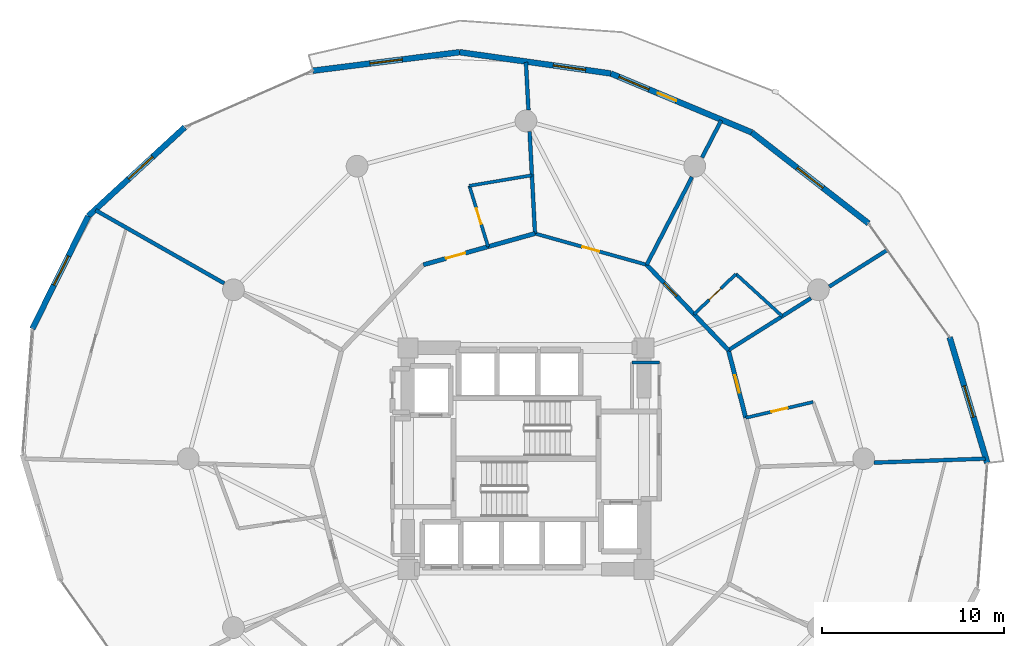
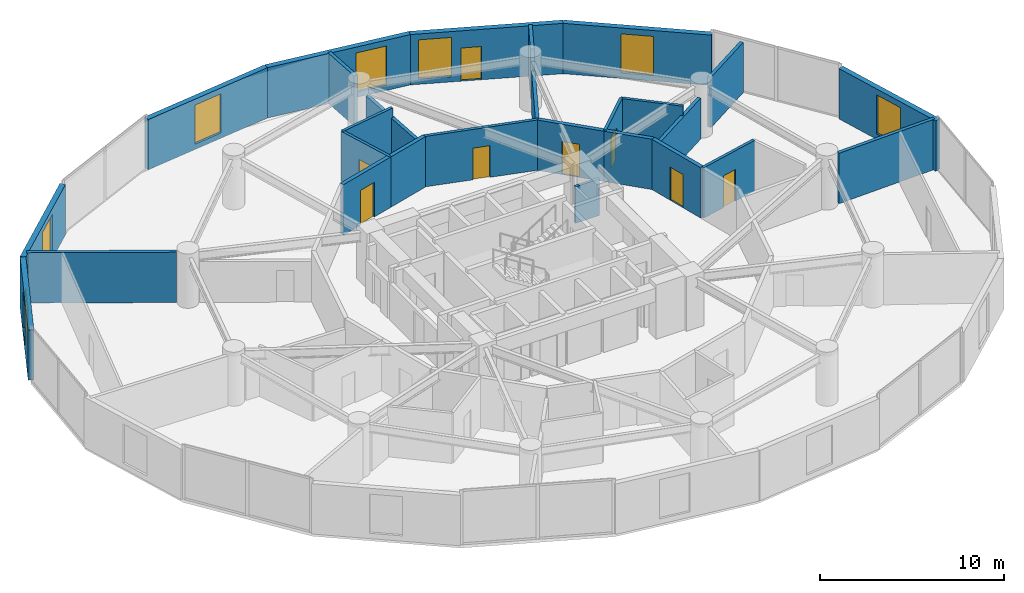
# One storey, part 21 of 25: 27 walls, 8 doors, 7 windows, 15 openings.
"""IFC4 building model written with IfcOpenShell, lengths in metres."""

from ifc_helpers import new_model, si_unit, direction, frame, frame_2d, origin, place, context, subcontext, project, spatial, rectangle, extrude, material, layer, layer_set, type_object, element, fill, save


model = new_model("IFC4")

# Units and contexts
model_context = context("Model", 3, precision=1e-05, world=origin(), true_north=direction((0.0, 1.0)))
body_context = subcontext(model_context, "Body", "Model", "MODEL_VIEW")
ifc_project = project(units=[si_unit("LENGTHUNIT", "METRE"), si_unit("AREAUNIT", "SQUARE_METRE"), si_unit("VOLUMEUNIT", "CUBIC_METRE"), si_unit("PLANEANGLEUNIT", "RADIAN"), si_unit("MASSUNIT", "GRAM", prefix="KILO")], contexts=[model_context])

# Site, building, storey
site_placement = place(None, origin())
site = spatial("IfcSite", under=ifc_project, at=site_placement, CompositionType="ELEMENT")
building_placement = place(site_placement, origin())
building = spatial("IfcBuilding", under=site, at=building_placement, Name="Solvirekh Grand Hotel", CompositionType="ELEMENT")
storey_placement = place(building_placement, frame((0.0, 0.0, 60.800048828125)))
storey = spatial("IfcBuildingStorey", under=building, at=storey_placement, Name="L14", CompositionType="ELEMENT", Elevation=60.800048828125)

# Wall, opening, window
ifc_material_1 = material(Name="Precast concrete C45/55", Category="concrete")
ifc_layer_1 = layer(ifc_material_1, 0.320068359375)
ifc_layer_set_1 = layer_set([ifc_layer_1], Name="Precast concrete C45/55")
wall_type_1 = type_object("IfcWallType", Name="ExtLobbyWall_RC320", PredefinedType="SOLIDWALL", material=ifc_layer_set_1)
wall_1_placement = place(storey_placement, frame((23.337890625, 6.68310546875, 0.0), z_axis=(0.0, 0.0, 1.0), x_axis=(0.286771852206, -0.957998906462, 0.0)))
wall_1 = element("IfcWall", 1, at=wall_1_placement, inside=storey, type_object=wall_type_1, Name="L14 exterior structural wall chord 2", PredefinedType="SOLIDWALL", context=body_context, shape_type="SweptSolid", body=[
    extrude(rectangle(XDim=7.23291015625, YDim=0.320068359375, at=frame_2d((3.616455078125, 0.0))), origin(), (0.0, 0.0, 1.0), 3.33984375),
])
opening_1_placement = place(wall_1_placement, frame((2.7890625, 0.0, 0.35009765625)))
opening_1 = element("IfcOpeningElement", 2, at=opening_1_placement, cuts=wall_1, Name="Opening W02", PredefinedType="OPENING", context=body_context, shape_type="SweptSolid", body=[
    extrude(rectangle(XDim=1.800048828125, YDim=2.60009765625, at=frame_2d((0.89990234375, 1.300048828125))), frame((0.0, 0.169921875, 0.0), z_axis=(0.0, -1.0, 0.0), x_axis=(1.0, 0.0, 0.0)), (0.0, 0.0, 1.0), 0.340087890625),
])
ifc_material_2 = material(Name="Low-E Tinted Bronze Laminated Glass", Category="aluminium")
window_type = type_object("IfcWindowType", Name="Win_LobbyExt_1800X2600", PartitioningType="SINGLE_PANEL", PredefinedType="WINDOW", material=ifc_material_2)
window_1_placement = place(opening_1_placement, origin())
window_1 = element("IfcWindow", 3, at=window_1_placement, inside=storey, type_object=window_type, Name="L14 panoramic bronze-framed window 2", OverallHeight=2.60009765625, OverallWidth=1.800048828125, PartitioningType="SINGLE_PANEL", PredefinedType="WINDOW", context=body_context, shape_type="SweptSolid", body=[
    extrude(rectangle(XDim=1.800048828125, YDim=2.60009765625, at=frame_2d((0.89990234375, 1.300048828125))), frame((0.0, 0.030029296875, 0.0), z_axis=(0.0, -1.0, 0.0), x_axis=(1.0, 0.0, 0.0)), (0.0, 0.0, 1.0), 0.06005859375),
])
fill(opening_1, window_1)

wall_2_placement = place(storey_placement, frame((12.43798828125, 17.966064453125, 0.0), z_axis=(0.0, 0.0, 1.0), x_axis=(0.788993974252, -0.614400934728, 0.0)))
wall_2 = element("IfcWall", 4, at=wall_2_placement, inside=storey, type_object=wall_type_1, Name="L14 exterior structural wall chord 4", PredefinedType="SOLIDWALL", context=body_context, shape_type="SweptSolid", body=[
    extrude(rectangle(XDim=8.1494140625, YDim=0.320068359375, at=frame_2d((4.07470703125, 0.0))), origin(), (0.0, 0.0, 1.0), 3.33984375),
])
opening_2_placement = place(wall_2_placement, frame((3.175048828125, 0.0, 0.35009765625)))
opening_2 = element("IfcOpeningElement", 5, at=opening_2_placement, cuts=wall_2, Name="Opening W02", PredefinedType="OPENING", context=body_context, shape_type="SweptSolid", body=[
    extrude(rectangle(XDim=1.800048828125, YDim=2.60009765625, at=frame_2d((0.89990234375, 1.300048828125))), frame((0.0, 0.169921875, 0.0), z_axis=(0.0, -1.0, 0.0), x_axis=(1.0, 0.0, 0.0)), (0.0, 0.0, 1.0), 0.340087890625),
])
window_2_placement = place(opening_2_placement, origin())
window_2 = element("IfcWindow", 6, at=window_2_placement, inside=storey, type_object=window_type, Name="L14 panoramic bronze-framed window 4", OverallHeight=2.60009765625, OverallWidth=1.800048828125, PartitioningType="SINGLE_PANEL", PredefinedType="WINDOW", context=body_context, shape_type="SweptSolid", body=[
    extrude(rectangle(XDim=1.800048828125, YDim=2.60009765625, at=frame_2d((0.89990234375, 1.300048828125))), frame((0.0, 0.030029296875, 0.0), z_axis=(0.0, -1.0, 0.0), x_axis=(1.0, 0.0, 0.0)), (0.0, 0.0, 1.0), 0.06005859375),
])
fill(opening_2, window_2)

# Wall, openings, door, window
wall_3_placement = place(storey_placement, frame((4.677001953125, 21.214111328125, 0.0), z_axis=(0.0, 0.0, 1.0), x_axis=(0.922472234025, -0.386063437084, 0.0)))
wall_3 = element("IfcWall", 7, at=wall_3_placement, inside=storey, type_object=wall_type_1, Name="L14 exterior structural wall chord 5", PredefinedType="SOLIDWALL", context=body_context, shape_type="SweptSolid", body=[
    extrude(rectangle(XDim=8.413330078125, YDim=0.320068359375, at=frame_2d((4.20654296875, 0.0))), origin(), (0.0, 0.0, 1.0), 3.33984375),
])
opening_3_placement = place(wall_3_placement, frame((0.47607421875, 0.0, 0.35009765625)))
opening_3 = element("IfcOpeningElement", 8, at=opening_3_placement, cuts=wall_3, Name="Opening W02", PredefinedType="OPENING", context=body_context, shape_type="SweptSolid", body=[
    extrude(rectangle(XDim=1.800048828125, YDim=2.60009765625, at=frame_2d((0.89990234375, 1.300048828125))), frame((0.0, 0.169921875, 0.0), z_axis=(0.0, -1.0, 0.0), x_axis=(1.0, 0.0, 0.0)), (0.0, 0.0, 1.0), 0.340087890625),
])
opening_4_placement = place(wall_3_placement, frame((2.802978515625, 0.0, 0.0)))
opening_4 = element("IfcOpeningElement", 9, at=opening_4_placement, cuts=wall_3, Name="Opening D03", PredefinedType="OPENING", context=body_context, shape_type="SweptSolid", body=[
    extrude(rectangle(XDim=1.10009765625, YDim=2.199951171875, at=frame_2d((0.550048828125, 1.10009765625))), frame((0.0, 0.169921875, 0.0), z_axis=(0.0, -1.0, 0.0), x_axis=(1.0, 0.0, 0.0)), (0.0, 0.0, 1.0), 0.340087890625),
])
ifc_material_3 = material(Name="Anodized Bronze Aluminium 6063-T6", Category="aluminium")
door_type_1 = type_object("IfcDoorType", Name="Door_ExtBalcony_1100X2200", OperationType="NOTDEFINED", PredefinedType="DOOR", material=ifc_material_3)
door_1_placement = place(opening_4_placement, origin())
door_1 = element("IfcDoor", 10, at=door_1_placement, inside=storey, type_object=door_type_1, Name="L14 Crescent balcony glazed door (5)", OperationType="SINGLE_SWING_RIGHT", OverallHeight=2.199951171875, OverallWidth=1.10009765625, PredefinedType="DOOR", context=body_context, shape_type="SweptSolid", body=[
    extrude(rectangle(XDim=1.10009765625, YDim=2.199951171875, at=frame_2d((0.550048828125, 1.10009765625))), frame((0.0, 0.02490234375, 0.0), z_axis=(0.0, -1.0, 0.0), x_axis=(1.0, 0.0, 0.0)), (0.0, 0.0, 1.0), 0.050048828125),
])
fill(opening_4, door_1)
window_3_placement = place(opening_3_placement, origin())
window_3 = element("IfcWindow", 11, at=window_3_placement, inside=storey, type_object=window_type, Name="L14 exterior side window 5", OverallHeight=2.60009765625, OverallWidth=1.800048828125, PartitioningType="SINGLE_PANEL", PredefinedType="WINDOW", context=body_context, shape_type="SweptSolid", body=[
    extrude(rectangle(XDim=1.800048828125, YDim=2.60009765625, at=frame_2d((0.89990234375, 1.300048828125))), frame((0.0, 0.030029296875, 0.0), z_axis=(0.0, -1.0, 0.0), x_axis=(1.0, 0.0, 0.0)), (0.0, 0.0, 1.0), 0.06005859375),
])
fill(opening_3, window_3)

# Wall, opening, window
wall_4_placement = place(storey_placement, frame((-3.653076171875, 22.385986328125, 0.0), z_axis=(0.0, 0.0, 1.0), x_axis=(0.990249073368, -0.139308193205, 0.0)))
wall_4 = element("IfcWall", 12, at=wall_4_placement, inside=storey, type_object=wall_type_1, Name="L14 exterior structural wall chord 6", PredefinedType="SOLIDWALL", context=body_context, shape_type="SweptSolid", body=[
    extrude(rectangle(XDim=8.412109375, YDim=0.320068359375, at=frame_2d((4.2060546875, 0.0))), origin(), (0.0, 0.0, 1.0), 3.33984375),
])
opening_5_placement = place(wall_4_placement, frame((5.202880859375, 0.0, 0.35009765625)))
opening_5 = element("IfcOpeningElement", 13, at=opening_5_placement, cuts=wall_4, Name="Opening W02", PredefinedType="OPENING", context=body_context, shape_type="SweptSolid", body=[
    extrude(rectangle(XDim=1.800048828125, YDim=2.60009765625, at=frame_2d((0.89990234375, 1.300048828125))), frame((0.0, 0.169921875, 0.0), z_axis=(0.0, -1.0, 0.0), x_axis=(1.0, 0.0, 0.0)), (0.0, 0.0, 1.0), 0.340087890625),
])
window_4_placement = place(opening_5_placement, origin())
window_4 = element("IfcWindow", 14, at=window_4_placement, inside=storey, type_object=window_type, Name="L14 panoramic bronze-framed window 6", OverallHeight=2.60009765625, OverallWidth=1.800048828125, PartitioningType="SINGLE_PANEL", PredefinedType="WINDOW", context=body_context, shape_type="SweptSolid", body=[
    extrude(rectangle(XDim=1.800048828125, YDim=2.60009765625, at=frame_2d((0.89990234375, 1.300048828125))), frame((0.0, 0.030029296875, 0.0), z_axis=(0.0, -1.0, 0.0), x_axis=(1.0, 0.0, 0.0)), (0.0, 0.0, 1.0), 0.06005859375),
])
fill(opening_5, window_4)

wall_5_placement = place(storey_placement, frame((-11.739013671875, 21.365966796875, 0.0), z_axis=(0.0, 0.0, 1.0), x_axis=(0.992137142599, 0.125155464426, 0.0)))
wall_5 = element("IfcWall", 15, at=wall_5_placement, inside=storey, type_object=wall_type_1, Name="L14 exterior structural wall chord 7", PredefinedType="SOLIDWALL", context=body_context, shape_type="SweptSolid", body=[
    extrude(rectangle(XDim=8.14990234375, YDim=0.320068359375, at=frame_2d((4.074951171875, 0.0))), origin(), (0.0, 0.0, 1.0), 3.33984375),
])
opening_6_placement = place(wall_5_placement, frame((3.175048828125, 0.0, 0.35009765625)))
opening_6 = element("IfcOpeningElement", 16, at=opening_6_placement, cuts=wall_5, Name="Opening W02", PredefinedType="OPENING", context=body_context, shape_type="SweptSolid", body=[
    extrude(rectangle(XDim=1.800048828125, YDim=2.60009765625, at=frame_2d((0.89990234375, 1.300048828125))), frame((0.0, 0.169921875, 0.0), z_axis=(0.0, -1.0, 0.0), x_axis=(1.0, 0.0, 0.0)), (0.0, 0.0, 1.0), 0.340087890625),
])
window_5_placement = place(opening_6_placement, origin())
window_5 = element("IfcWindow", 17, at=window_5_placement, inside=storey, type_object=window_type, Name="L14 panoramic bronze-framed window 7", OverallHeight=2.60009765625, OverallWidth=1.800048828125, PartitioningType="SINGLE_PANEL", PredefinedType="WINDOW", context=body_context, shape_type="SweptSolid", body=[
    extrude(rectangle(XDim=1.800048828125, YDim=2.60009765625, at=frame_2d((0.89990234375, 1.300048828125))), frame((0.0, 0.030029296875, 0.0), z_axis=(0.0, -1.0, 0.0), x_axis=(1.0, 0.0, 0.0)), (0.0, 0.0, 1.0), 0.06005859375),
])
fill(opening_6, window_5)

wall_6_placement = place(storey_placement, frame((-24.111083984375, 13.35693359375, 0.0), z_axis=(0.0, 0.0, 1.0), x_axis=(0.735876522022, 0.677115754016, 0.0)))
wall_6 = element("IfcWall", 18, at=wall_6_placement, inside=storey, type_object=wall_type_1, Name="L14 exterior structural wall chord 9", PredefinedType="SOLIDWALL", context=body_context, shape_type="SweptSolid", body=[
    extrude(rectangle(XDim=7.233642578125, YDim=0.320068359375, at=frame_2d((3.61669921875, 0.0))), origin(), (0.0, 0.0, 1.0), 3.33984375),
])
opening_7_placement = place(wall_6_placement, frame((3.028076171875, 0.0, 0.35009765625)))
opening_7 = element("IfcOpeningElement", 19, at=opening_7_placement, cuts=wall_6, Name="Opening W02", PredefinedType="OPENING", context=body_context, shape_type="SweptSolid", body=[
    extrude(rectangle(XDim=1.800048828125, YDim=2.60009765625, at=frame_2d((0.89990234375, 1.300048828125))), frame((0.0, 0.169921875, 0.0), z_axis=(0.0, -1.0, 0.0), x_axis=(1.0, 0.0, 0.0)), (0.0, 0.0, 1.0), 0.340087890625),
])
window_6_placement = place(opening_7_placement, origin())
window_6 = element("IfcWindow", 20, at=window_6_placement, inside=storey, type_object=window_type, Name="L14 panoramic bronze-framed window 9", OverallHeight=2.60009765625, OverallWidth=1.800048828125, PartitioningType="SINGLE_PANEL", PredefinedType="WINDOW", context=body_context, shape_type="SweptSolid", body=[
    extrude(rectangle(XDim=1.800048828125, YDim=2.60009765625, at=frame_2d((0.89990234375, 1.300048828125))), frame((0.0, 0.030029296875, 0.0), z_axis=(0.0, -1.0, 0.0), x_axis=(1.0, 0.0, 0.0)), (0.0, 0.0, 1.0), 0.06005859375),
])
fill(opening_7, window_6)

wall_7_placement = place(storey_placement, frame((-27.18603515625, 7.152099609375, 0.0), z_axis=(0.0, 0.0, 1.0), x_axis=(0.444037823644, 0.896008041914, 0.0)))
wall_7 = element("IfcWall", 21, at=wall_7_placement, inside=storey, type_object=wall_type_1, Name="L14 exterior structural wall chord 10", PredefinedType="SOLIDWALL", context=body_context, shape_type="SweptSolid", body=[
    extrude(rectangle(XDim=6.925048828125, YDim=0.320068359375, at=frame_2d((3.46240234375, 0.0))), origin(), (0.0, 0.0, 1.0), 3.33984375),
])
opening_8_placement = place(wall_7_placement, frame((2.681884765625, 0.0, 0.35009765625)))
opening_8 = element("IfcOpeningElement", 22, at=opening_8_placement, cuts=wall_7, Name="Opening W02", PredefinedType="OPENING", context=body_context, shape_type="SweptSolid", body=[
    extrude(rectangle(XDim=1.800048828125, YDim=2.60009765625, at=frame_2d((0.89990234375, 1.300048828125))), frame((0.0, 0.169921875, 0.0), z_axis=(0.0, -1.0, 0.0), x_axis=(1.0, 0.0, 0.0)), (0.0, 0.0, 1.0), 0.340087890625),
])
window_7_placement = place(opening_8_placement, origin())
window_7 = element("IfcWindow", 23, at=window_7_placement, inside=storey, type_object=window_type, Name="L14 panoramic bronze-framed window 10", OverallHeight=2.60009765625, OverallWidth=1.800048828125, PartitioningType="SINGLE_PANEL", PredefinedType="WINDOW", context=body_context, shape_type="SweptSolid", body=[
    extrude(rectangle(XDim=1.800048828125, YDim=2.60009765625, at=frame_2d((0.89990234375, 1.300048828125))), frame((0.0, 0.030029296875, 0.0), z_axis=(0.0, -1.0, 0.0), x_axis=(1.0, 0.0, 0.0)), (0.0, 0.0, 1.0), 0.06005859375),
])
fill(opening_8, window_7)

# Walls
ifc_material_4 = material(Name="Acoustic Gypsum Partition Assembly")
ifc_layer_2 = layer(ifc_material_4, 0.1650390625)
ifc_layer_set_2 = layer_set([ifc_layer_2], Name="Acoustic Gypsum Partition Assembly")
wall_type_2 = type_object("IfcWallType", Name="Part_BOH_165", PredefinedType="PARTITIONING", material=ifc_layer_set_2)
wall_8_placement = place(storey_placement, frame((7.35009765625, 5.300048828125, 0.0), z_axis=(0.0, 0.0, 1.0), x_axis=(-1.0, 0.0, 0.0)))
element("IfcWall", 24, at=wall_8_placement, inside=storey, type_object=wall_type_2, Name="L14 L14 Telecom Distribution Room wall 3", PredefinedType="PARTITIONING", context=body_context, shape_type="SweptSolid", body=[
    extrude(rectangle(XDim=1.5, YDim=0.1650390625, at=frame_2d((0.75, 0.0))), origin(), (0.0, 0.0, 1.0), 2.425048828125),
])
ifc_layer_3 = layer(ifc_material_4, 0.239990234375)
ifc_layer_set_3 = layer_set([ifc_layer_3], Name="Acoustic Gypsum Partition Assembly")
wall_type_3 = type_object("IfcWallType", Name="Part_Corridor_240", PredefinedType="PARTITIONING", material=ifc_layer_set_3)
wall_9_placement = place(storey_placement, frame((0.5, 12.39990234375, 0.0), z_axis=(0.0, 0.0, 1.0), x_axis=(-0.962997098558, -0.269511758869, 0.0)))
element("IfcWall", 25, at=wall_9_placement, inside=storey, type_object=wall_type_3, Name="L14 En-suite Bathroom 1601 corridor backing wall", PredefinedType="PARTITIONING", context=body_context, shape_type="SweptSolid", body=[
    extrude(rectangle(XDim=2.682373046875, YDim=0.239990234375, at=frame_2d((1.34130859375, 0.0))), origin(), (0.0, 0.0, 1.0), 3.33984375),
])

# Wall, opening, door
wall_10_placement = place(storey_placement, frame((-2.0830078125, 11.677001953125, 0.0), z_axis=(0.0, 0.0, 1.0), x_axis=(-0.962943481199, -0.269703266603, 0.0)))
wall_10 = element("IfcWall", 26, at=wall_10_placement, inside=storey, type_object=wall_type_3, Name="L14 Diplomatic Suite 1601 Living Room entrance wall", PredefinedType="PARTITIONING", context=body_context, shape_type="SweptSolid", body=[
    extrude(rectangle(XDim=3.7041015625, YDim=0.239990234375, at=frame_2d((1.85205078125, 0.0))), origin(), (0.0, 0.0, 1.0), 3.33984375),
])
opening_9_placement = place(wall_10_placement, frame((1.302001953125, 0.0, 0.0)))
opening_9 = element("IfcOpeningElement", 27, at=opening_9_placement, cuts=wall_10, Name="Opening D08", PredefinedType="OPENING", context=body_context, shape_type="SweptSolid", body=[
    extrude(rectangle(XDim=1.10009765625, YDim=2.300048828125, at=frame_2d((0.550048828125, 1.14990234375))), frame((0.0, 0.1298828125, 0.0), z_axis=(0.0, -1.0, 0.0), x_axis=(1.0, 0.0, 0.0)), (0.0, 0.0, 1.0), 0.260009765625),
])
ifc_material_5 = material(Name="Fire-Rated Steel Door Assembly", Category="steel")
door_type_2 = type_object("IfcDoorType", Name="Door_SuiteEntry_1100X2300", OperationType="NOTDEFINED", PredefinedType="DOOR", material=ifc_material_5)
door_2_placement = place(opening_9_placement, origin())
door_2 = element("IfcDoor", 28, at=door_2_placement, inside=storey, type_object=door_type_2, Name="L14 Diplomatic Suite 1601 Living Room entrance door", OperationType="SINGLE_SWING_RIGHT", OverallHeight=2.300048828125, OverallWidth=1.10009765625, PredefinedType="DOOR", context=body_context, shape_type="SweptSolid", body=[
    extrude(rectangle(XDim=1.10009765625, YDim=2.300048828125, at=frame_2d((0.550048828125, 1.14990234375))), frame((0.0, 0.02490234375, 0.0), z_axis=(0.0, -1.0, 0.0), x_axis=(1.0, 0.0, 0.0)), (0.0, 0.0, 1.0), 0.050048828125),
])
fill(opening_9, door_2)

wall_11_placement = place(storey_placement, frame((12.10791015625, 2.248046875, 0.0), z_axis=(0.0, 0.0, 1.0), x_axis=(-0.248413515056, 0.9686540794, 0.0)))
wall_11 = element("IfcWall", 29, at=wall_11_placement, inside=storey, type_object=wall_type_3, Name="L14 Deluxe Guestroom 1606 entrance wall", PredefinedType="PARTITIONING", context=body_context, shape_type="SweptSolid", body=[
    extrude(rectangle(XDim=3.84765625, YDim=0.239990234375, at=frame_2d((1.923828125, 0.0))), origin(), (0.0, 0.0, 1.0), 3.33984375),
])
opening_10_placement = place(wall_11_placement, frame((1.424072265625, 0.0, 0.0)))
opening_10 = element("IfcOpeningElement", 30, at=opening_10_placement, cuts=wall_11, Name="Opening D07", PredefinedType="OPENING", context=body_context, shape_type="SweptSolid", body=[
    extrude(rectangle(XDim=1.0, YDim=2.199951171875, at=frame_2d((0.5, 1.10009765625))), frame((0.0, 0.1298828125, 0.0), z_axis=(0.0, -1.0, 0.0), x_axis=(1.0, 0.0, 0.0)), (0.0, 0.0, 1.0), 0.260009765625),
])
door_type_3 = type_object("IfcDoorType", Name="Door_GuestEntry_1000X2200", OperationType="NOTDEFINED", PredefinedType="DOOR", material=ifc_material_5)
door_3_placement = place(opening_10_placement, origin())
door_3 = element("IfcDoor", 31, at=door_3_placement, inside=storey, type_object=door_type_3, Name="L14 Deluxe Guestroom 1606 entrance door", OperationType="SINGLE_SWING_RIGHT", OverallHeight=2.199951171875, OverallWidth=1.0, PredefinedType="DOOR", context=body_context, shape_type="SweptSolid", body=[
    extrude(rectangle(XDim=1.0, YDim=2.199951171875, at=frame_2d((0.5, 1.10009765625))), frame((0.0, 0.02490234375, 0.0), z_axis=(0.0, -1.0, 0.0), x_axis=(1.0, 0.0, 0.0)), (0.0, 0.0, 1.0), 0.050048828125),
])
fill(opening_10, door_3)

# Wall
wall_12_placement = place(storey_placement, frame((11.152099609375, 5.97509765625, 0.0), z_axis=(0.0, 0.0, 1.0), x_axis=(-0.69162799291, 0.72225391617, 0.0)))
element("IfcWall", 32, at=wall_12_placement, inside=storey, type_object=wall_type_3, Name="L14 En-suite Bathroom 1607 corridor backing wall", PredefinedType="PARTITIONING", context=body_context, shape_type="SweptSolid", body=[
    extrude(rectangle(XDim=2.734375, YDim=0.239990234375, at=frame_2d((1.3671875, 0.0))), origin(), (0.0, 0.0, 1.0), 3.33984375),
])

# Wall, opening, door
wall_13_placement = place(storey_placement, frame((9.260986328125, 7.949951171875, 0.0), z_axis=(0.0, 0.0, 1.0), x_axis=(-0.691453073155, 0.722421378161, 0.0)))
wall_13 = element("IfcWall", 33, at=wall_13_placement, inside=storey, type_object=wall_type_3, Name="L14 Deluxe Guestroom 1607 entrance wall", PredefinedType="PARTITIONING", context=body_context, shape_type="SweptSolid", body=[
    extrude(rectangle(XDim=3.776123046875, YDim=0.239990234375, at=frame_2d((1.88818359375, 0.0))), origin(), (0.0, 0.0, 1.0), 3.33984375),
])
opening_11_placement = place(wall_13_placement, frame((1.387939453125, 0.0, 0.0)))
opening_11 = element("IfcOpeningElement", 34, at=opening_11_placement, cuts=wall_13, Name="Opening D07", PredefinedType="OPENING", context=body_context, shape_type="SweptSolid", body=[
    extrude(rectangle(XDim=1.0, YDim=2.199951171875, at=frame_2d((0.5, 1.10009765625))), frame((0.0, 0.1298828125, 0.0), z_axis=(0.0, -1.0, 0.0), x_axis=(1.0, 0.0, 0.0)), (0.0, 0.0, 1.0), 0.260009765625),
])
door_4_placement = place(opening_11_placement, origin())
door_4 = element("IfcDoor", 35, at=door_4_placement, inside=storey, type_object=door_type_3, Name="L14 Deluxe Guestroom 1607 entrance door", OperationType="SINGLE_SWING_RIGHT", OverallHeight=2.199951171875, OverallWidth=1.0, PredefinedType="DOOR", context=body_context, shape_type="SweptSolid", body=[
    extrude(rectangle(XDim=1.0, YDim=2.199951171875, at=frame_2d((0.5, 1.10009765625))), frame((0.0, 0.02490234375, 0.0), z_axis=(0.0, -1.0, 0.0), x_axis=(1.0, 0.0, 0.0)), (0.0, 0.0, 1.0), 0.050048828125),
])
fill(opening_11, door_4)

ifc_layer_4 = layer(ifc_material_4, 0.18994140625)
ifc_layer_set_4 = layer_set([ifc_layer_4], Name="Acoustic Gypsum Partition Assembly")
wall_type_4 = type_object("IfcWallType", Name="Part_GuestDemise_190", PredefinedType="PARTITIONING", material=ifc_layer_set_4)
wall_14_placement = place(storey_placement, frame((6.64990234375, 10.677978515625, 0.0), z_axis=(0.0, 0.0, 1.0), x_axis=(-0.962966004827, 0.26962283573, 0.0)))
wall_14 = element("IfcWall", 36, at=wall_14_placement, inside=storey, type_object=wall_type_4, Name="L14 L14 Executive Business Study entrance wall", PredefinedType="PARTITIONING", context=body_context, shape_type="SweptSolid", body=[
    extrude(rectangle(XDim=6.386474609375, YDim=0.18994140625, at=frame_2d((3.193359375, 0.0))), origin(), (0.0, 0.0, 1.0), 3.33984375),
])
opening_12_placement = place(wall_14_placement, frame((2.718017578125, 0.0, 0.0)))
opening_12 = element("IfcOpeningElement", 37, at=opening_12_placement, cuts=wall_14, Name="Opening D10", PredefinedType="OPENING", context=body_context, shape_type="SweptSolid", body=[
    extrude(rectangle(XDim=0.949951171875, YDim=2.10009765625, at=frame_2d((0.47509765625, 1.050048828125))), frame((0.0, 0.10498046875, 0.0), z_axis=(0.0, -1.0, 0.0), x_axis=(1.0, 0.0, 0.0)), (0.0, 0.0, 1.0), 0.2099609375),
])
door_type_4 = type_object("IfcDoorType", Name="Door_RoomInt_950X2100", OperationType="NOTDEFINED", PredefinedType="DOOR", material=ifc_material_3)
door_5_placement = place(opening_12_placement, origin())
door_5 = element("IfcDoor", 38, at=door_5_placement, inside=storey, type_object=door_type_4, Name="L14 L14 Executive Business Study entrance door", OperationType="SINGLE_SWING_LEFT", OverallHeight=2.10009765625, OverallWidth=0.949951171875, PredefinedType="DOOR", context=body_context, shape_type="SweptSolid", body=[
    extrude(rectangle(XDim=0.949951171875, YDim=2.10009765625, at=frame_2d((0.47509765625, 1.050048828125))), frame((0.0, 0.02490234375, 0.0), z_axis=(0.0, -1.0, 0.0), x_axis=(1.0, 0.0, 0.0)), (0.0, 0.0, 1.0), 0.050048828125),
])
fill(opening_12, door_5)

# Walls
ifc_layer_5 = layer(ifc_material_4, 0.2099609375)
ifc_layer_set_5 = layer_set([ifc_layer_5], Name="Acoustic Gypsum Partition Assembly")
wall_type_5 = type_object("IfcWallType", Name="Part_SuiteDemise_210", PredefinedType="PARTITIONING", material=ifc_layer_set_5)
wall_15_placement = place(storey_placement, frame((19.179931640625, -0.219970703125, 0.0), z_axis=(0.0, 0.0, 1.0), x_axis=(0.999354291278, 0.035930495469, 0.0)))
element("IfcWall", 39, at=wall_15_placement, inside=storey, type_object=wall_type_5, Name="L14 suite radial wall 1 (B)", PredefinedType="PARTITIONING", context=body_context, shape_type="SweptSolid", body=[
    extrude(rectangle(XDim=6.1220703125, YDim=0.2099609375, at=frame_2d((3.06103515625, 0.0))), origin(), (0.0, 0.0, 1.0), 3.33984375),
])
wall_16_placement = place(storey_placement, frame((11.152099609375, 5.97509765625, 0.0), z_axis=(0.0, 0.0, 1.0), x_axis=(0.845979114039, 0.533216033714, 0.0)))
element("IfcWall", 40, at=wall_16_placement, inside=storey, type_object=wall_type_5, Name="L14 suite radial wall 2 (A)", PredefinedType="PARTITIONING", context=body_context, shape_type="SweptSolid", body=[
    extrude(rectangle(XDim=5.368896484375, YDim=0.2099609375, at=frame_2d((2.6845703125, 0.0))), origin(), (0.0, 0.0, 1.0), 2.708984375),
])
wall_17_placement = place(storey_placement, frame((16.702880859375, 9.47509765625, 0.0), z_axis=(0.0, 0.0, 1.0), x_axis=(0.845977305375, 0.533218903257, 0.0)))
element("IfcWall", 41, at=wall_17_placement, inside=storey, type_object=wall_type_5, Name="L14 suite radial wall 2 (B)", PredefinedType="PARTITIONING", context=body_context, shape_type="SweptSolid", body=[
    extrude(rectangle(XDim=3.750732421875, YDim=0.2099609375, at=frame_2d((1.87548828125, 0.0))), origin(), (0.0, 0.0, 1.0), 3.33984375),
])
wall_18_placement = place(storey_placement, frame((6.64990234375, 10.677978515625, 0.0), z_axis=(0.0, 0.0, 1.0), x_axis=(0.458816800398, 0.888530890669, 0.0)))
element("IfcWall", 42, at=wall_18_placement, inside=storey, type_object=wall_type_5, Name="L14 suite radial wall 3 (A)", PredefinedType="PARTITIONING", context=body_context, shape_type="SweptSolid", body=[
    extrude(rectangle(XDim=5.43603515625, YDim=0.2099609375, at=frame_2d((2.718017578125, 0.0))), origin(), (0.0, 0.0, 1.0), 2.708984375),
])
wall_19_placement = place(storey_placement, frame((9.698974609375, 16.58203125, 0.0), z_axis=(0.0, 0.0, 1.0), x_axis=(0.45880233967, 0.888538357705, 0.0)))
element("IfcWall", 43, at=wall_19_placement, inside=storey, type_object=wall_type_5, Name="L14 suite radial wall 3 (B)", PredefinedType="PARTITIONING", context=body_context, shape_type="SweptSolid", body=[
    extrude(rectangle(XDim=2.301513671875, YDim=0.2099609375, at=frame_2d((1.15087890625, 0.0))), origin(), (0.0, 0.0, 1.0), 3.33984375),
])
wall_20_placement = place(storey_placement, frame((0.5, 12.39990234375, 0.0), z_axis=(0.0, 0.0, 1.0), x_axis=(-0.053023803289, 0.998593248668, 0.0)))
element("IfcWall", 44, at=wall_20_placement, inside=storey, type_object=wall_type_5, Name="L14 suite radial wall 4 (A)", PredefinedType="PARTITIONING", context=body_context, shape_type="SweptSolid", body=[
    extrude(rectangle(XDim=5.621826171875, YDim=0.2099609375, at=frame_2d((2.81103515625, 0.0))), origin(), (0.0, 0.0, 1.0), 2.708984375),
])
wall_21_placement = place(storey_placement, frame((0.138916015625, 19.2041015625, 0.0), z_axis=(0.0, 0.0, 1.0), x_axis=(-0.05278768825, 0.998605758029, 0.0)))
element("IfcWall", 45, at=wall_21_placement, inside=storey, type_object=wall_type_5, Name="L14 suite radial wall 4 (B)", PredefinedType="PARTITIONING", context=body_context, shape_type="SweptSolid", body=[
    extrude(rectangle(XDim=2.631591796875, YDim=0.2099609375, at=frame_2d((1.31591796875, 0.0))), origin(), (0.0, 0.0, 1.0), 3.33984375),
])
wall_22_placement = place(storey_placement, frame((-16.616943359375, 9.653076171875, 0.0), z_axis=(0.0, 0.0, 1.0), x_axis=(-0.869161611856, 0.494528151348, 0.0)))
element("IfcWall", 46, at=wall_22_placement, inside=storey, type_object=wall_type_5, Name="L14 suite radial wall 6 (B)", PredefinedType="PARTITIONING", context=body_context, shape_type="SweptSolid", body=[
    extrude(rectangle(XDim=8.149169921875, YDim=0.2099609375, at=frame_2d((4.07470703125, 0.0))), origin(), (0.0, 0.0, 1.0), 3.33984375),
])
ifc_layer_6 = layer(ifc_material_4, 0.175048828125)
ifc_layer_set_6 = layer_set([ifc_layer_6], Name="Acoustic Gypsum Partition Assembly")
wall_type_6 = type_object("IfcWallType", Name="Plumb_Ensuite_175", PredefinedType="PLUMBINGWALL", material=ifc_layer_set_6)
wall_23_placement = place(storey_placement, frame((0.330078125, 15.60693359375, 0.0), z_axis=(0.0, 0.0, 1.0), x_axis=(-0.986183518822, -0.165656473477, 0.0)))
element("IfcWall", 47, at=wall_23_placement, inside=storey, type_object=wall_type_6, Name="L14 En-suite Bathroom 1601 outer plumbing wall", PredefinedType="PLUMBINGWALL", context=body_context, shape_type="SweptSolid", body=[
    extrude(rectangle(XDim=3.494384765625, YDim=0.175048828125, at=frame_2d((1.7470703125, 0.0))), origin(), (0.0, 0.0, 1.0), 3.33984375),
])

# Wall, opening, door
wall_24_placement = place(storey_placement, frame((-2.0830078125, 11.677001953125, 0.0), z_axis=(0.0, 0.0, 1.0), x_axis=(-0.294570153527, 0.955629857555, 0.0)))
wall_24 = element("IfcWall", 48, at=wall_24_placement, inside=storey, type_object=wall_type_6, Name="L14 En-suite Bathroom 1601 entry plumbing wall", PredefinedType="PLUMBINGWALL", context=body_context, shape_type="SweptSolid", body=[
    extrude(rectangle(XDim=3.506591796875, YDim=0.175048828125, at=frame_2d((1.75341796875, 0.0))), origin(), (0.0, 0.0, 1.0), 3.33984375),
])
opening_13_placement = place(wall_24_placement, frame((1.302978515625, 0.0, 0.0)))
opening_13 = element("IfcOpeningElement", 49, at=opening_13_placement, cuts=wall_24, Name="Opening D09", PredefinedType="OPENING", context=body_context, shape_type="SweptSolid", body=[
    extrude(rectangle(XDim=0.89990234375, YDim=2.10009765625, at=frame_2d((0.449951171875, 1.050048828125))), frame((0.0, 0.09765625, 0.0), z_axis=(0.0, -1.0, 0.0), x_axis=(1.0, 0.0, 0.0)), (0.0, 0.0, 1.0), 0.195068359375),
])
door_type_5 = type_object("IfcDoorType", Name="Door_Ensuite_900X2100", OperationType="NOTDEFINED", PredefinedType="DOOR", material=ifc_material_3)
door_6_placement = place(opening_13_placement, origin())
door_6 = element("IfcDoor", 50, at=door_6_placement, inside=storey, type_object=door_type_5, Name="L14 En-suite Bathroom 1601 door", OperationType="SINGLE_SWING_LEFT", OverallHeight=2.10009765625, OverallWidth=0.89990234375, PredefinedType="DOOR", context=body_context, shape_type="SweptSolid", body=[
    extrude(rectangle(XDim=0.89990234375, YDim=2.10009765625, at=frame_2d((0.449951171875, 1.050048828125))), frame((0.0, 0.02490234375, 0.0), z_axis=(0.0, -1.0, 0.0), x_axis=(1.0, 0.0, 0.0)), (0.0, 0.0, 1.0), 0.050048828125),
])
fill(opening_13, door_6)

wall_25_placement = place(storey_placement, frame((12.10791015625, 2.248046875, 0.0), z_axis=(0.0, 0.0, 1.0), x_axis=(0.973356655093, 0.229296362784, 0.0)))
wall_25 = element("IfcWall", 51, at=wall_25_placement, inside=storey, type_object=wall_type_6, Name="L14 En-suite Bathroom 1606 entry plumbing wall", PredefinedType="PLUMBINGWALL", context=body_context, shape_type="SweptSolid", body=[
    extrude(rectangle(XDim=3.811767578125, YDim=0.175048828125, at=frame_2d((1.90576171875, 0.0))), origin(), (0.0, 0.0, 1.0), 3.33984375),
])
opening_14_placement = place(wall_25_placement, frame((1.4560546875, 0.0, 0.0)))
opening_14 = element("IfcOpeningElement", 52, at=opening_14_placement, cuts=wall_25, Name="Opening D09", PredefinedType="OPENING", context=body_context, shape_type="SweptSolid", body=[
    extrude(rectangle(XDim=0.89990234375, YDim=2.10009765625, at=frame_2d((0.449951171875, 1.050048828125))), frame((0.0, 0.09765625, 0.0), z_axis=(0.0, -1.0, 0.0), x_axis=(1.0, 0.0, 0.0)), (0.0, 0.0, 1.0), 0.195068359375),
])
door_7_placement = place(opening_14_placement, origin())
door_7 = element("IfcDoor", 53, at=door_7_placement, inside=storey, type_object=door_type_5, Name="L14 En-suite Bathroom 1606 door", OperationType="SINGLE_SWING_LEFT", OverallHeight=2.10009765625, OverallWidth=0.89990234375, PredefinedType="DOOR", context=body_context, shape_type="SweptSolid", body=[
    extrude(rectangle(XDim=0.89990234375, YDim=2.10009765625, at=frame_2d((0.449951171875, 1.050048828125))), frame((0.0, 0.02490234375, 0.0), z_axis=(0.0, -1.0, 0.0), x_axis=(1.0, 0.0, 0.0)), (0.0, 0.0, 1.0), 0.050048828125),
])
fill(opening_14, door_7)

# Wall
wall_26_placement = place(storey_placement, frame((14.117919921875, 7.844970703125, 0.0), z_axis=(0.0, 0.0, 1.0), x_axis=(-0.738937194697, 0.673774311097, 0.0)))
element("IfcWall", 54, at=wall_26_placement, inside=storey, type_object=wall_type_6, Name="L14 En-suite Bathroom 1607 outer plumbing wall", PredefinedType="PLUMBINGWALL", context=body_context, shape_type="SweptSolid", body=[
    extrude(rectangle(XDim=3.45068359375, YDim=0.175048828125, at=frame_2d((1.725341796875, 0.0))), origin(), (0.0, 0.0, 1.0), 3.33984375),
])

# Wall, opening, door
wall_27_placement = place(storey_placement, frame((9.260986328125, 7.949951171875, 0.0), z_axis=(0.0, 0.0, 1.0), x_axis=(0.720586854317, 0.693364684265, 0.0)))
wall_27 = element("IfcWall", 55, at=wall_27_placement, inside=storey, type_object=wall_type_6, Name="L14 En-suite Bathroom 1607 entry plumbing wall", PredefinedType="PLUMBINGWALL", context=body_context, shape_type="SweptSolid", body=[
    extrude(rectangle(XDim=3.20166015625, YDim=0.175048828125, at=frame_2d((1.600830078125, 0.0))), origin(), (0.0, 0.0, 1.0), 3.33984375),
])
opening_15_placement = place(wall_27_placement, frame((1.15087890625, 0.0, 0.0)))
opening_15 = element("IfcOpeningElement", 56, at=opening_15_placement, cuts=wall_27, Name="Opening D09", PredefinedType="OPENING", context=body_context, shape_type="SweptSolid", body=[
    extrude(rectangle(XDim=0.89990234375, YDim=2.10009765625, at=frame_2d((0.449951171875, 1.050048828125))), frame((0.0, 0.09765625, 0.0), z_axis=(0.0, -1.0, 0.0), x_axis=(1.0, 0.0, 0.0)), (0.0, 0.0, 1.0), 0.195068359375),
])
door_8_placement = place(opening_15_placement, origin())
door_8 = element("IfcDoor", 57, at=door_8_placement, inside=storey, type_object=door_type_5, Name="L14 En-suite Bathroom 1607 door", OperationType="SINGLE_SWING_LEFT", OverallHeight=2.10009765625, OverallWidth=0.89990234375, PredefinedType="DOOR", context=body_context, shape_type="SweptSolid", body=[
    extrude(rectangle(XDim=0.89990234375, YDim=2.10009765625, at=frame_2d((0.449951171875, 1.050048828125))), frame((0.0, 0.02490234375, 0.0), z_axis=(0.0, -1.0, 0.0), x_axis=(1.0, 0.0, 0.0)), (0.0, 0.0, 1.0), 0.050048828125),
])
fill(opening_15, door_8)

save(model, "model.ifc")
